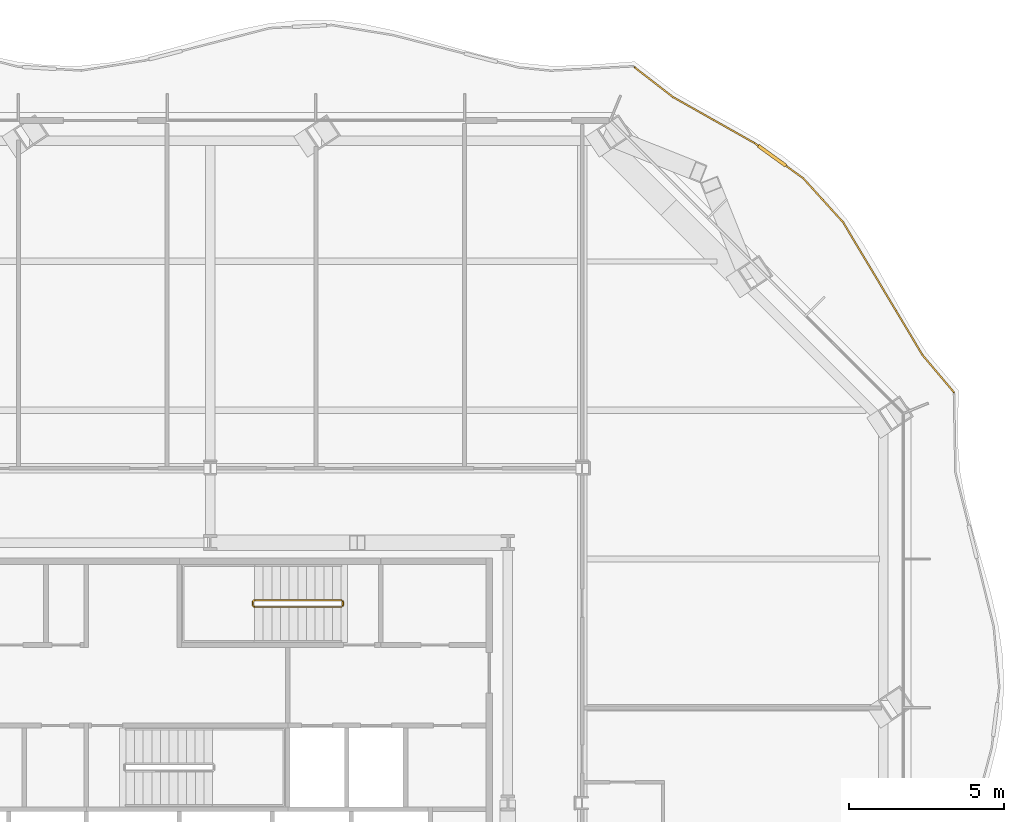
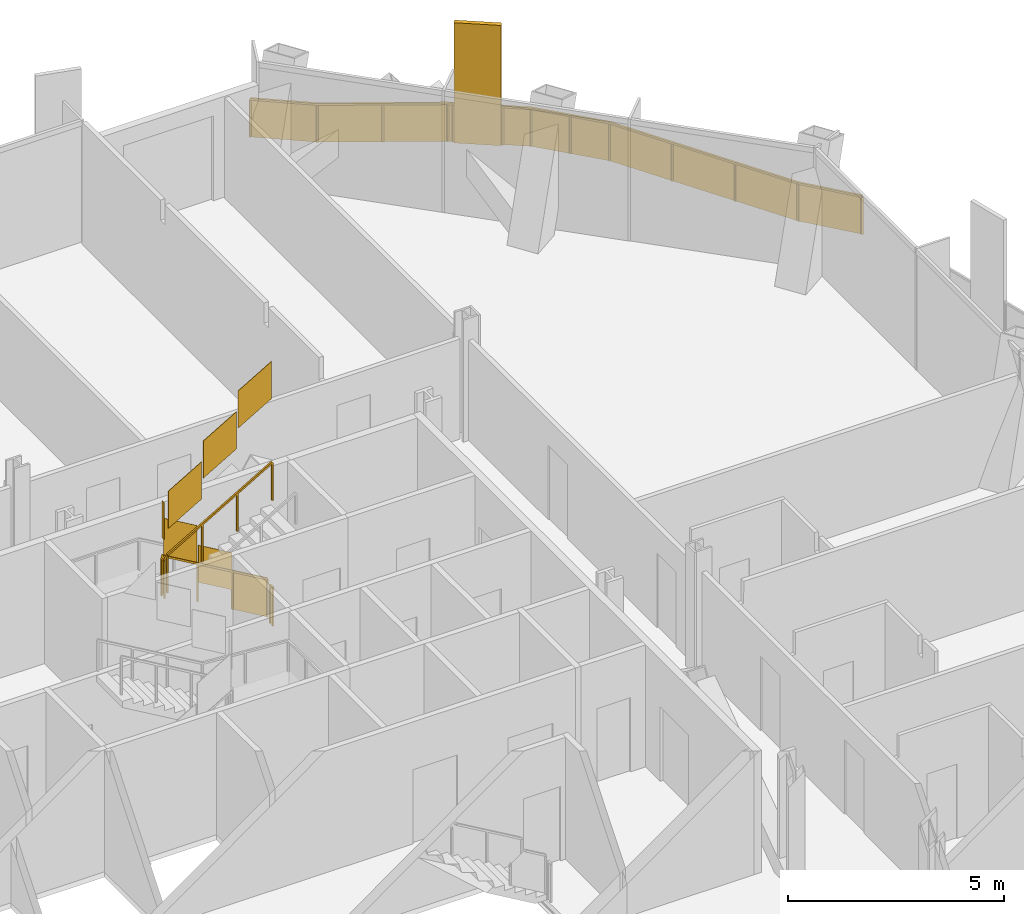
# One storey, part 17 of 17: 3 railings.
"""IFC4 building model written with IfcOpenShell, lengths in metres."""

from ifc_helpers import new_model, si_unit, direction, frame, origin, origin_2d, place, context, subcontext, project, spatial, polyline, rectangle, outline, extrude, material, type_object, element, save


model = new_model("IFC4")

# Units and contexts
model_context = context("Model", 3, precision=1e-05, world=origin(), true_north=direction((0.0, 1.0)))
body_context = subcontext(model_context, "Body", "Model", "MODEL_VIEW")
ifc_project = project(units=[si_unit("LENGTHUNIT", "METRE"), si_unit("AREAUNIT", "SQUARE_METRE"), si_unit("VOLUMEUNIT", "CUBIC_METRE"), si_unit("PLANEANGLEUNIT", "RADIAN"), si_unit("MASSUNIT", "GRAM", prefix="KILO")], contexts=[model_context])

# Site, building, storey
site_placement = place(None, origin())
site = spatial("IfcSite", under=ifc_project, at=site_placement, CompositionType="ELEMENT")
building_placement = place(site_placement, origin())
building = spatial("IfcBuilding", under=site, at=building_placement, Name="Cairn Pilgrim Tower", CompositionType="ELEMENT")
storey_placement = place(building_placement, frame((0.0, 0.0, 94.199951171875)))
storey = spatial("IfcBuildingStorey", under=building, at=storey_placement, Name="L22", CompositionType="ELEMENT", Elevation=94.199951171875)

# Railings
ifc_material_1 = material(Name="Bronze anodised aluminium rail, posts and fin screens with laminated glass infill", Category="aluminium")
railing_type_1 = type_object("IfcRailingType", Name="BALCONY GUARD WITH FIN SCREENS", PredefinedType="GUARDRAIL", material=ifc_material_1)
railing_1_placement = place(storey_placement, frame((31.194091796875, 15.65185546875, 0.0)))
element("IfcRailing", 1, at=railing_1_placement, inside=storey, type_object=railing_type_1, Name="Balcony guard BGF-3 with fin screens", PredefinedType="GUARDRAIL", context=body_context, shape_type="SweptSolid", body=[
    extrude(rectangle(XDim=0.050048828125, YDim=0.050048828125, at=origin_2d()), frame((0.0, 0.0, 1.0751953125), z_axis=(-0.645461150095, 0.763793102691, 0.0), x_axis=(-0.763793102691, -0.645461150095, 0.0)), (0.0, 0.0, 1.0), 1.570068359375),
    extrude(rectangle(XDim=0.050048828125, YDim=0.050048828125, at=origin_2d()), frame((-1.013427734375, 1.19921875, 1.0751953125), z_axis=(-0.513309721208, 0.85820343166, 0.0), x_axis=(-0.85820343166, -0.513309721208, 0.0)), (0.0, 0.0, 1.0), 4.996826171875),
    extrude(rectangle(XDim=0.050048828125, YDim=0.050048828125, at=origin_2d()), frame((-3.578369140625, 5.487548828125, 1.0751953125), z_axis=(-0.671712258333, 0.740812150282, 0.0), x_axis=(-0.740812150282, -0.671712258333, 0.0)), (0.0, 0.0, 1.0), 1.911376953125),
    extrude(rectangle(XDim=1.10009765625, YDim=0.110107421875, at=origin_2d()), frame((-5.86669921875, 7.630615234375, 0.0), z_axis=(0.0, 0.0, 1.0), x_axis=(-0.810018383047, 0.586404484231, 0.0)), (0.0, 0.0, 1.0), 3.39990234375),
    extrude(rectangle(XDim=0.050048828125, YDim=0.050048828125, at=origin_2d()), frame((-4.8623046875, 6.903564453125, 1.0751953125), z_axis=(-0.810018383047, 0.586404484231, 0.0), x_axis=(-0.586404484231, -0.810018383047, 0.0)), (0.0, 0.0, 1.0), 0.68994140625),
    extrude(rectangle(XDim=0.050048828125, YDim=0.050048828125, at=origin_2d()), frame((-6.312255859375, 7.953125, 1.0751953125), z_axis=(-0.810018383047, 0.586404484231, 0.0), x_axis=(-0.586404484231, -0.810018383047, 0.0)), (0.0, 0.0, 1.0), 0.150146484375),
    extrude(rectangle(XDim=0.050048828125, YDim=0.050048828125, at=origin_2d()), frame((-6.433837890625, 8.041259765625, 1.0751953125), z_axis=(-0.870968718485, 0.491338469307, 0.0), x_axis=(-0.491338469307, -0.870968718485, 0.0)), (0.0, 0.0, 1.0), 3.0224609375),
    extrude(rectangle(XDim=0.050048828125, YDim=0.050048828125, at=origin_2d()), frame((-9.06640625, 9.5263671875, 1.0751953125), z_axis=(-0.790889608913, 0.611958843806, 0.0), x_axis=(-0.611958843806, -0.790889608913, 0.0)), (0.0, 0.0, 1.0), 1.562255859375),
    extrude(rectangle(XDim=0.050048828125, YDim=0.050048828125, at=origin_2d()), origin(), (0.0, 0.0, 1.0), 1.050048828125),
    extrude(rectangle(XDim=0.050048828125, YDim=0.050048828125, at=origin_2d()), frame((-1.013427734375, 1.19921875, 0.0)), (0.0, 0.0, 1.0), 1.050048828125),
    extrude(rectangle(XDim=0.050048828125, YDim=0.050048828125, at=origin_2d()), frame((-1.868408203125, 2.628662109375, 0.0)), (0.0, 0.0, 1.0), 1.050048828125),
    extrude(rectangle(XDim=0.050048828125, YDim=0.050048828125, at=origin_2d()), frame((-2.723388671875, 4.05810546875, 0.0)), (0.0, 0.0, 1.0), 1.050048828125),
    extrude(rectangle(XDim=0.050048828125, YDim=0.050048828125, at=origin_2d()), frame((-3.578369140625, 5.487548828125, 0.0)), (0.0, 0.0, 1.0), 1.050048828125),
    extrude(rectangle(XDim=0.050048828125, YDim=0.050048828125, at=origin_2d()), frame((-4.22021484375, 6.195556640625, 0.0)), (0.0, 0.0, 1.0), 1.050048828125),
    extrude(rectangle(XDim=0.050048828125, YDim=0.050048828125, at=origin_2d()), frame((-4.8623046875, 6.903564453125, 0.0)), (0.0, 0.0, 1.0), 1.050048828125),
    extrude(rectangle(XDim=0.050048828125, YDim=0.050048828125, at=origin_2d()), frame((-5.40087890625, 7.29345703125, 0.0)), (0.0, 0.0, 1.0), 1.050048828125),
    extrude(rectangle(XDim=0.050048828125, YDim=0.050048828125, at=origin_2d()), frame((-6.33251953125, 7.968017578125, 0.0)), (0.0, 0.0, 1.0), 1.050048828125),
    extrude(rectangle(XDim=0.050048828125, YDim=0.050048828125, at=origin_2d()), frame((-6.433837890625, 8.041259765625, 0.0)), (0.0, 0.0, 1.0), 1.050048828125),
    extrude(rectangle(XDim=0.050048828125, YDim=0.050048828125, at=origin_2d()), frame((-7.75, 8.78369140625, 0.0)), (0.0, 0.0, 1.0), 1.050048828125),
    extrude(rectangle(XDim=0.050048828125, YDim=0.050048828125, at=origin_2d()), frame((-9.06640625, 9.5263671875, 0.0)), (0.0, 0.0, 1.0), 1.050048828125),
    extrude(rectangle(XDim=0.050048828125, YDim=0.050048828125, at=origin_2d()), frame((-10.302001953125, 10.482421875, 0.0)), (0.0, 0.0, 1.0), 1.050048828125),
    extrude(outline(polyline([(0.02490234375, 0.0), (1.545166015625, 0.0), (1.545166015625, 1.050048828125), (0.02490234375, 1.050048828125), (0.02490234375, 0.0)])), frame((-0.004638671875, -0.00390625, 0.0), z_axis=(0.763793102691, 0.645461150095, 0.0), x_axis=(-0.645461150095, 0.763793102691, 0.0)), (0.0, 0.0, 1.0), 0.011962890625),
    extrude(outline(polyline([(0.02490234375, 0.0), (1.640625, 0.0), (1.640625, 1.050048828125), (0.02490234375, 1.050048828125), (0.02490234375, 0.0)])), frame((-1.0185546875, 1.196044921875, 0.0), z_axis=(0.85820343166, 0.513309721208, 0.0), x_axis=(-0.513309721208, 0.85820343166, 0.0)), (0.0, 0.0, 1.0), 0.011962890625),
    extrude(outline(polyline([(0.02490234375, 0.0), (1.640625, 0.0), (1.640625, 1.050048828125), (0.02490234375, 1.050048828125), (0.02490234375, 0.0)])), frame((-1.87353515625, 2.62548828125, 0.0), z_axis=(0.85820343166, 0.513309721208, 0.0), x_axis=(-0.513309721208, 0.85820343166, 0.0)), (0.0, 0.0, 1.0), 0.011962890625),
    extrude(outline(polyline([(0.02490234375, 0.0), (1.640625, 0.0), (1.640625, 1.050048828125), (0.02490234375, 1.050048828125), (0.02490234375, 0.0)])), frame((-2.728515625, 4.054931640625, 0.0), z_axis=(0.85820343166, 0.513309721208, 0.0), x_axis=(-0.513309721208, 0.85820343166, 0.0)), (0.0, 0.0, 1.0), 0.011962890625),
    extrude(outline(polyline([(0.02490234375, 0.0), (0.9306640625, 0.0), (0.9306640625, 1.050048828125), (0.02490234375, 1.050048828125), (0.02490234375, 0.0)])), frame((-3.582763671875, 5.483642578125, 0.0), z_axis=(0.740812150282, 0.671712258333, 0.0), x_axis=(-0.671712258333, 0.740812150282, 0.0)), (0.0, 0.0, 1.0), 0.011962890625),
    extrude(outline(polyline([(0.02490234375, 0.0), (0.9306640625, 0.0), (0.9306640625, 1.050048828125), (0.02490234375, 1.050048828125), (0.02490234375, 0.0)])), frame((-4.224853515625, 6.191650390625, 0.0), z_axis=(0.740812150282, 0.671712258333, 0.0), x_axis=(-0.671712258333, 0.740812150282, 0.0)), (0.0, 0.0, 1.0), 0.011962890625),
    extrude(outline(polyline([(0.02490234375, 0.0), (0.639892578125, 0.0), (0.639892578125, 1.050048828125), (0.02490234375, 1.050048828125), (0.02490234375, 0.0)])), frame((-4.86572265625, 6.898681640625, 0.0), z_axis=(0.586404484231, 0.810018383047, 0.0), x_axis=(-0.810018383047, 0.586404484231, 0.0)), (0.0, 0.0, 1.0), 0.011962890625),
    extrude(outline(polyline([(0.02490234375, 0.0), (0.10009765625, 0.0), (0.10009765625, 1.050048828125), (0.02490234375, 1.050048828125), (0.02490234375, 0.0)])), frame((-6.3359375, 7.963134765625, 0.0), z_axis=(0.586404484231, 0.810018383047, 0.0), x_axis=(-0.810018383047, 0.586404484231, 0.0)), (0.0, 0.0, 1.0), 0.011962890625),
    extrude(outline(polyline([(0.02490234375, 0.0), (1.486328125, 0.0), (1.486328125, 1.050048828125), (0.02490234375, 1.050048828125), (0.02490234375, 0.0)])), frame((-6.436767578125, 8.0361328125, 0.0), z_axis=(0.491338469307, 0.870968718485, 0.0), x_axis=(-0.870968718485, 0.491338469307, 0.0)), (0.0, 0.0, 1.0), 0.011962890625),
    extrude(outline(polyline([(0.02490234375, 0.0), (1.486328125, 0.0), (1.486328125, 1.050048828125), (0.02490234375, 1.050048828125), (0.02490234375, 0.0)])), frame((-7.753173828125, 8.778564453125, 0.0), z_axis=(0.491338469307, 0.870968718485, 0.0), x_axis=(-0.870968718485, 0.491338469307, 0.0)), (0.0, 0.0, 1.0), 0.011962890625),
    extrude(outline(polyline([(0.02490234375, 0.0), (1.537353515625, 0.0), (1.537353515625, 1.050048828125), (0.02490234375, 1.050048828125), (0.02490234375, 0.0)])), frame((-9.070068359375, 9.521728515625, 0.0), z_axis=(0.611958843806, 0.790889608913, 0.0), x_axis=(-0.790889608913, 0.611958843806, 0.0)), (0.0, 0.0, 1.0), 0.011962890625),
])
ifc_material_2 = material(Name="Painted steel", Category="steel")
railing_type_2 = type_object("IfcRailingType", Name="STAIR GUARD 1100", PredefinedType="GUARDRAIL", material=ifc_material_2)
railing_2_placement = place(storey_placement, frame((11.425048828125, 8.949951171875, 0.16357421875)))
element("IfcRailing", 2, at=railing_2_placement, inside=storey, type_object=railing_type_2, Name="L22 ST-C stair guard 1", PredefinedType="GUARDRAIL", context=body_context, shape_type="SweptSolid", body=[
    extrude(rectangle(XDim=0.048095703125, YDim=0.048095703125, at=origin_2d()), frame((0.0, 0.0, 1.076171875), z_axis=(-0.863360870873, 0.0, 0.504586966384), x_axis=(0.0, -1.0, 0.0)), (0.0, 0.0, 1.0), 3.2431640625),
    extrude(rectangle(XDim=0.048095703125, YDim=0.048095703125, at=origin_2d()), frame((-2.800048828125, 0.0, 2.71240234375), z_axis=(-0.707106781187, -0.707106781187, 0.0), x_axis=(0.707106781187, -0.707106781187, 0.0)), (0.0, 0.0, 1.0), 0.07080078125),
    extrude(rectangle(XDim=0.048095703125, YDim=0.048095703125, at=origin_2d()), frame((-2.85009765625, -0.050048828125, 2.71240234375), z_axis=(0.0, -1.0, 0.0), x_axis=(1.0, 0.0, 0.0)), (0.0, 0.0, 1.0), 0.125),
    extrude(rectangle(XDim=0.048095703125, YDim=0.048095703125, at=origin_2d()), frame((-2.85009765625, -0.175048828125, 2.71240234375), z_axis=(0.280916556609, -0.279546231943, 0.91811752648), x_axis=(0.705375805398, 0.708833529934, 0.0)), (0.0, 0.0, 1.0), 0.17822265625),
    extrude(rectangle(XDim=0.048095703125, YDim=0.048095703125, at=origin_2d()), frame((-2.800048828125, -0.224853515625, 2.8759765625), z_axis=(0.863360870873, 0.0, 0.504586966384), x_axis=(0.0, 1.0, 0.0)), (0.0, 0.0, 1.0), 3.2431640625),
    extrude(rectangle(XDim=0.0419921875, YDim=0.0419921875, at=origin_2d()), origin(), (0.0, 0.0, 1.0), 1.052001953125),
    extrude(rectangle(XDim=0.0419921875, YDim=0.0419921875, at=origin_2d()), frame((-0.933349609375, 0.0, 0.54541015625)), (0.0, 0.0, 1.0), 1.052001953125),
    extrude(rectangle(XDim=0.0419921875, YDim=0.0419921875, at=origin_2d()), frame((-1.86669921875, 0.0, 1.091064453125)), (0.0, 0.0, 1.0), 1.052001953125),
    extrude(rectangle(XDim=0.0419921875, YDim=0.0419921875, at=origin_2d()), frame((-2.800048828125, 0.0, 1.636474609375)), (0.0, 0.0, 1.0), 1.052001953125),
    extrude(rectangle(XDim=0.0419921875, YDim=0.0419921875, at=origin_2d()), frame((-2.85009765625, -0.050048828125, 1.636474609375)), (0.0, 0.0, 1.0), 1.052001953125),
    extrude(rectangle(XDim=0.0419921875, YDim=0.0419921875, at=origin_2d()), frame((-2.85009765625, -0.175048828125, 1.636474609375)), (0.0, 0.0, 1.0), 1.052001953125),
    extrude(rectangle(XDim=0.0419921875, YDim=0.0419921875, at=origin_2d()), frame((-2.800048828125, -0.224853515625, 1.800048828125)), (0.0, 0.0, 1.0), 1.052001953125),
    extrude(rectangle(XDim=0.0419921875, YDim=0.0419921875, at=origin_2d()), frame((-1.86669921875, -0.224853515625, 2.345458984375)), (0.0, 0.0, 1.0), 1.052001953125),
    extrude(rectangle(XDim=0.0419921875, YDim=0.0419921875, at=origin_2d()), frame((-0.933349609375, -0.224853515625, 2.89111328125)), (0.0, 0.0, 1.0), 1.052001953125),
    extrude(rectangle(XDim=0.0419921875, YDim=0.0419921875, at=origin_2d()), frame((0.0, -0.224853515625, 3.4365234375)), (0.0, 0.0, 1.0), 1.052001953125),
    extrude(outline(polyline([(0.02099609375, 0.01220703125), (0.912353515625, 0.533203125), (0.912353515625, 1.585205078125), (0.02099609375, 1.064208984375), (0.02099609375, 0.01220703125)])), frame((0.0, -0.005859375, 0.0), z_axis=(0.0, 1.0, 0.0), x_axis=(-1.0, 0.0, 0.0)), (0.0, 0.0, 1.0), 0.011962890625),
    extrude(outline(polyline([(0.02099609375, 0.557861328125), (0.912353515625, 1.07861328125), (0.912353515625, 2.130615234375), (0.02099609375, 1.60986328125), (0.02099609375, 0.557861328125)])), frame((-0.933349609375, -0.005859375, 0.54541015625), z_axis=(0.0, 1.0, 0.0), x_axis=(-1.0, 0.0, 0.0)), (0.0, 0.0, 1.0), 0.011962890625),
    extrude(outline(polyline([(0.02099609375, 1.103271484375), (0.912353515625, 1.624267578125), (0.912353515625, 2.67626953125), (0.02099609375, 2.1552734375), (0.02099609375, 1.103271484375)])), frame((-1.86669921875, -0.005859375, 1.091064453125), z_axis=(0.0, 1.0, 0.0), x_axis=(-1.0, 0.0, 0.0)), (0.0, 0.0, 1.0), 0.011962890625),
    extrude(outline(polyline([(0.02099609375, 1.636474609375), (0.10400390625, 1.636474609375), (0.10400390625, 2.6884765625), (0.02099609375, 2.6884765625), (0.02099609375, 1.636474609375)])), frame((-2.84423828125, -0.050048828125, 1.636474609375), z_axis=(-1.0, 0.0, 0.0), x_axis=(0.0, -1.0, 0.0)), (0.0, 0.0, 1.0), 0.011962890625),
    extrude(outline(polyline([(0.02099609375, 1.812255859375), (0.912353515625, 2.333251953125), (0.912353515625, 3.38525390625), (0.02099609375, 2.8642578125), (0.02099609375, 1.812255859375)])), frame((-2.800048828125, -0.21875, 1.800048828125), z_axis=(0.0, -1.0, 0.0), x_axis=(1.0, 0.0, 0.0)), (0.0, 0.0, 1.0), 0.011962890625),
    extrude(outline(polyline([(0.02099609375, 2.35791015625), (0.912353515625, 2.878662109375), (0.912353515625, 3.9306640625), (0.02099609375, 3.409912109375), (0.02099609375, 2.35791015625)])), frame((-1.86669921875, -0.21875, 2.345458984375), z_axis=(0.0, -1.0, 0.0), x_axis=(1.0, 0.0, 0.0)), (0.0, 0.0, 1.0), 0.011962890625),
    extrude(outline(polyline([(0.02099609375, 2.9033203125), (0.912353515625, 3.42431640625), (0.912353515625, 4.476318359375), (0.02099609375, 3.955322265625), (0.02099609375, 2.9033203125)])), frame((-0.933349609375, -0.21875, 2.89111328125), z_axis=(0.0, -1.0, 0.0), x_axis=(1.0, 0.0, 0.0)), (0.0, 0.0, 1.0), 0.011962890625),
])
railing_3_placement = place(storey_placement, frame((11.47509765625, 8.89990234375, 0.0)))
element("IfcRailing", 3, at=railing_3_placement, inside=storey, type_object=railing_type_2, Name="L22 ST-C stair guard 2", PredefinedType="GUARDRAIL", context=body_context, shape_type="SweptSolid", body=[
    extrude(rectangle(XDim=0.048095703125, YDim=0.048095703125, at=origin_2d()), frame((0.0, 0.0, 1.076171875), z_axis=(0.0, -1.0, 0.0), x_axis=(1.0, 0.0, 0.0)), (0.0, 0.0, 1.0), 0.125),
    extrude(rectangle(XDim=0.0419921875, YDim=0.0419921875, at=origin_2d()), origin(), (0.0, 0.0, 1.0), 1.052001953125),
    extrude(rectangle(XDim=0.0419921875, YDim=0.0419921875, at=origin_2d()), frame((0.0, -0.125, 0.0)), (0.0, 0.0, 1.0), 1.052001953125),
    extrude(outline(polyline([(0.02099609375, 0.0), (0.10400390625, 0.0), (0.10400390625, 1.052001953125), (0.02099609375, 1.052001953125), (0.02099609375, 0.0)])), frame((0.005859375, 0.0, 0.0), z_axis=(-1.0, 0.0, 0.0), x_axis=(0.0, -1.0, 0.0)), (0.0, 0.0, 1.0), 0.011962890625),
])

save(model, "model.ifc")
